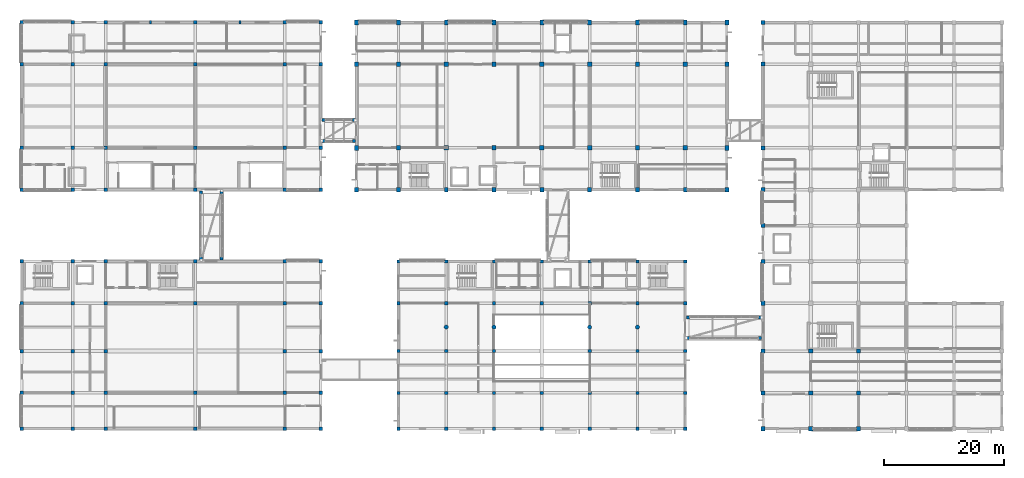
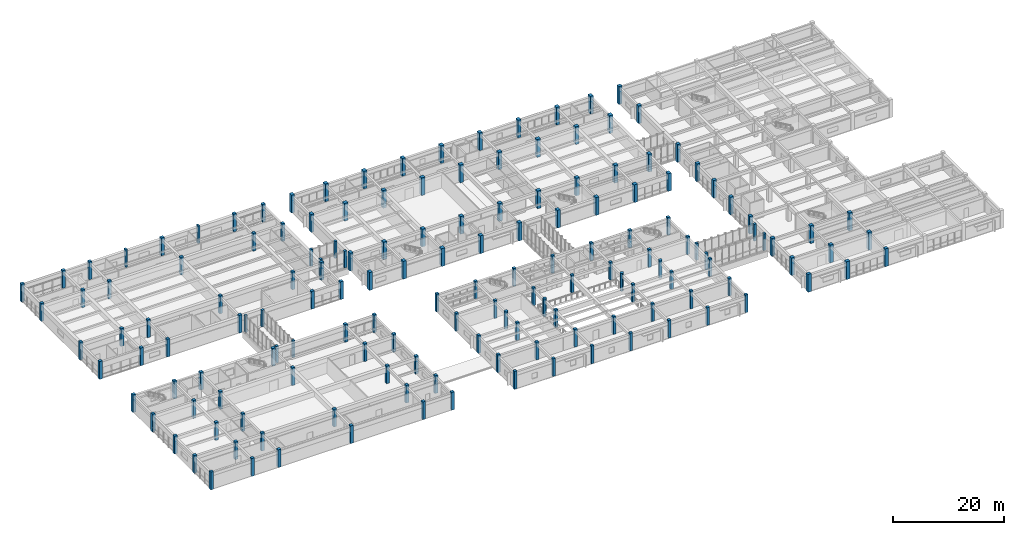
# One storey, part 1 of 66: 157 columns.
"""IFC4 building model written with IfcOpenShell, lengths in metres."""

from ifc_helpers import new_model, si_unit, direction, frame, origin, origin_2d, place, context, subcontext, project, spatial, rectangle, circle, extrude, material, material_profile, profile_set, type_object, element, save


model = new_model("IFC4")

# Units and contexts
model_context = context("Model", 3, precision=1e-05, world=origin(), true_north=direction((0.0, 1.0)))
body_context = subcontext(model_context, "Body", "Model", "MODEL_VIEW")
ifc_project = project(units=[si_unit("LENGTHUNIT", "METRE"), si_unit("AREAUNIT", "SQUARE_METRE"), si_unit("VOLUMEUNIT", "CUBIC_METRE"), si_unit("PLANEANGLEUNIT", "RADIAN"), si_unit("MASSUNIT", "GRAM", prefix="KILO")], contexts=[model_context])

# Site, building, storey
site_placement = place(None, origin())
site = spatial("IfcSite", under=ifc_project, at=site_placement, CompositionType="ELEMENT")
building_placement = place(site_placement, origin())
building = spatial("IfcBuilding", under=site, at=building_placement, Name="Naurynzar Civic Courthouse", CompositionType="ELEMENT")
storey_placement = place(building_placement, frame((0.0, 0.0, 14.39990234375)))
storey = spatial("IfcBuildingStorey", under=building, at=storey_placement, Name="L04", CompositionType="ELEMENT", Elevation=14.39990234375)

# Columns
ifc_material_1 = material(Name="Concrete C40/50", Category="concrete")
ifc_material_profile_1 = material_profile(ifc_material_1, rectangle(XDim=0.5, YDim=0.5, at=origin_2d()), Name="RC 500x500")
ifc_profile_set_1 = profile_set([ifc_material_profile_1], Name="Concrete C40/50")
column_type_1 = type_object("IfcColumnType", Name="COL-RC-500x500", PredefinedType="COLUMN", material=ifc_profile_set_1)
for number, where, z_axis, x_axis, name in (
    (1, (35.969970703125, 32.469970703125, 0.0), (0.0, 0.0, 1.0), (1.0, 0.0, 0.0), "BR-W1 roof portal post 1"),
    (2, (39.429931640625, 32.469970703125, 0.0), (0.0, 0.0, 1.0), (1.0, 0.0, 0.0), "BR-W1 roof portal post 2"),
    (3, (35.969970703125, 43.530029296875, 0.0), (0.0, 0.0, 1.0), (1.0, 0.0, 0.0), "BR-W1 roof portal post 3"),
    (4, (39.429931640625, 43.530029296875, 0.0), (0.0, 0.0, 1.0), (1.0, 0.0, 0.0), "BR-W1 roof portal post 4"),
    (5, (56.469970703125, 52.169921875, 0.0), (0.0, 0.0, 1.0), (1.0, 0.0, 0.0), "BR-N1 roof portal post 1"),
    (6, (61.530029296875, 52.169921875, 0.0), (0.0, 0.0, 1.0), (1.0, 0.0, 0.0), "BR-N1 roof portal post 2"),
    (7, (56.469970703125, 55.6298828125, 0.0), (0.0, 0.0, 1.0), (1.0, 0.0, 0.0), "BR-N1 roof portal post 3"),
    (8, (61.530029296875, 55.6298828125, 0.0), (0.0, 0.0, 1.0), (1.0, 0.0, 0.0), "BR-N1 roof portal post 4"),
    (9, (117.469970703125, 19.169921875, 0.0), (0.0, 0.0, 1.0), (1.0, 0.0, 0.0), "BR-E2 roof portal post 1"),
    (10, (129.530029296875, 19.169921875, 0.0), (0.0, 0.0, 1.0), (1.0, 0.0, 0.0), "BR-E2 roof portal post 2"),
    (11, (117.469970703125, 22.6298828125, 0.0), (0.0, 0.0, 1.0), (1.0, 0.0, 0.0), "BR-E2 roof portal post 3"),
    (12, (129.530029296875, 22.6298828125, 0.0), (0.0, 0.0, 1.0), (1.0, 0.0, 0.0), "BR-E2 roof portal post 4"),
):
    element("IfcColumn", number, at=place(storey_placement, frame(where, z_axis=z_axis, x_axis=x_axis)), inside=storey, type_object=column_type_1, Name=name, PredefinedType="COLUMN", context=body_context, shape_type="SweptSolid", body=[
        extrude(rectangle(XDim=0.5, YDim=0.5, at=origin_2d()), origin(), (0.0, 0.0, 1.0), 3.670166015625),
    ])
ifc_material_2 = material(Name="Concrete C40/50", Category="concrete")
ifc_material_profile_2 = material_profile(ifc_material_2, rectangle(XDim=0.550048828125, YDim=0.550048828125, at=origin_2d()), Name="RC 550x550")
ifc_profile_set_2 = profile_set([ifc_material_profile_2], Name="Concrete C40/50")
column_type_2 = type_object("IfcColumnType", Name="COL-RC-550", PredefinedType="COLUMN", material=ifc_profile_set_2)
for number, where, z_axis, x_axis, name in (
    (13, (69.0, 4.0, 0.0), (0.0, 0.0, 1.0), (1.0, 0.0, 0.0), "V3 column (69.0,4.0) L04"),
    (14, (69.0, 10.0, 0.0), (0.0, 0.0, 1.0), (1.0, 0.0, 0.0), "V3 column (69.0,10.0) L04"),
    (15, (69.0, 17.0, 0.0), (0.0, 0.0, 1.0), (1.0, 0.0, 0.0), "V3 column (69.0,17.0) L04"),
    (16, (69.0, 25.0, 0.0), (0.0, 0.0, 1.0), (1.0, 0.0, 0.0), "V3 column (69.0,25.0) L04"),
    (17, (69.0, 32.0, 0.0), (0.0, 0.0, 1.0), (1.0, 0.0, 0.0), "V3 column (69.0,32.0) L04"),
    (18, (77.0, 4.0, 0.0), (0.0, 0.0, 1.0), (1.0, 0.0, 0.0), "V3 column (77.0,4.0) L04"),
    (19, (77.0, 10.0, 0.0), (0.0, 0.0, 1.0), (1.0, 0.0, 0.0), "V3 column (77.0,10.0) L04"),
    (20, (77.0, 17.0, 0.0), (0.0, 0.0, 1.0), (1.0, 0.0, 0.0), "V3 column (77.0,17.0) L04"),
    (21, (77.0, 25.0, 0.0), (0.0, 0.0, 1.0), (1.0, 0.0, 0.0), "V3 column (77.0,25.0) L04"),
    (22, (77.0, 32.0, 0.0), (0.0, 0.0, 1.0), (1.0, 0.0, 0.0), "V3 column (77.0,32.0) L04"),
    (23, (85.0, 4.0, 0.0), (0.0, 0.0, 1.0), (1.0, 0.0, 0.0), "V3 column (85.0,4.0) L04"),
    (24, (85.0, 10.0, 0.0), (0.0, 0.0, 1.0), (1.0, 0.0, 0.0), "V3 column (85.0,10.0) L04"),
    (25, (85.0, 17.0, 0.0), (0.0, 0.0, 1.0), (1.0, 0.0, 0.0), "V3 column (85.0,17.0) L04"),
    (26, (85.0, 25.0, 0.0), (0.0, 0.0, 1.0), (1.0, 0.0, 0.0), "V3 column (85.0,25.0) L04"),
    (27, (85.0, 32.0, 0.0), (0.0, 0.0, 1.0), (1.0, 0.0, 0.0), "V3 column (85.0,32.0) L04"),
    (28, (93.0, 4.0, 0.0), (0.0, 0.0, 1.0), (1.0, 0.0, 0.0), "V3 column (93.0,4.0) L04"),
    (29, (93.0, 10.0, 0.0), (0.0, 0.0, 1.0), (1.0, 0.0, 0.0), "V3 column (93.0,10.0) L04"),
    (30, (93.0, 25.0, 0.0), (0.0, 0.0, 1.0), (1.0, 0.0, 0.0), "V3 column (93.0,25.0) L04"),
    (31, (93.0, 32.0, 0.0), (0.0, 0.0, 1.0), (1.0, 0.0, 0.0), "V3 column (93.0,32.0) L04"),
    (32, (101.0, 4.0, 0.0), (0.0, 0.0, 1.0), (1.0, 0.0, 0.0), "V3 column (101.0,4.0) L04"),
    (33, (101.0, 10.0, 0.0), (0.0, 0.0, 1.0), (1.0, 0.0, 0.0), "V3 column (101.0,10.0) L04"),
    (34, (101.0, 17.0, 0.0), (0.0, 0.0, 1.0), (1.0, 0.0, 0.0), "V3 column (101.0,17.0) L04"),
    (35, (101.0, 25.0, 0.0), (0.0, 0.0, 1.0), (1.0, 0.0, 0.0), "V3 column (101.0,25.0) L04"),
    (36, (101.0, 32.0, 0.0), (0.0, 0.0, 1.0), (1.0, 0.0, 0.0), "V3 column (101.0,32.0) L04"),
    (37, (109.0, 4.0, 0.0), (0.0, 0.0, 1.0), (1.0, 0.0, 0.0), "V3 column (109.0,4.0) L04"),
    (38, (109.0, 10.0, 0.0), (0.0, 0.0, 1.0), (1.0, 0.0, 0.0), "V3 column (109.0,10.0) L04"),
    (39, (109.0, 17.0, 0.0), (0.0, 0.0, 1.0), (1.0, 0.0, 0.0), "V3 column (109.0,17.0) L04"),
    (40, (109.0, 25.0, 0.0), (0.0, 0.0, 1.0), (1.0, 0.0, 0.0), "V3 column (109.0,25.0) L04"),
    (41, (109.0, 32.0, 0.0), (0.0, 0.0, 1.0), (1.0, 0.0, 0.0), "V3 column (109.0,32.0) L04"),
    (42, (117.0, 4.0, 0.0), (0.0, 0.0, 1.0), (1.0, 0.0, 0.0), "V3 column (117.0,4.0) L04"),
    (43, (117.0, 10.0, 0.0), (0.0, 0.0, 1.0), (1.0, 0.0, 0.0), "V3 column (117.0,10.0) L04"),
    (44, (117.0, 17.0, 0.0), (0.0, 0.0, 1.0), (1.0, 0.0, 0.0), "V3 column (117.0,17.0) L04"),
    (45, (117.0, 25.0, 0.0), (0.0, 0.0, 1.0), (1.0, 0.0, 0.0), "V3 column (117.0,25.0) L04"),
    (46, (117.0, 32.0, 0.0), (0.0, 0.0, 1.0), (1.0, 0.0, 0.0), "V3 column (117.0,32.0) L04"),
):
    element("IfcColumn", number, at=place(storey_placement, frame(where, z_axis=z_axis, x_axis=x_axis)), inside=storey, type_object=column_type_2, Name=name, PredefinedType="COLUMN", context=body_context, shape_type="SweptSolid", body=[
        extrude(rectangle(XDim=0.550048828125, YDim=0.550048828125, at=origin_2d()), origin(), (0.0, 0.0, 1.0), 3.900146484375),
    ])
ifc_material_3 = material(Name="Concrete C40/50", Category="concrete")
ifc_material_profile_3 = material_profile(ifc_material_3, rectangle(XDim=0.60009765625, YDim=0.60009765625, at=origin_2d()), Name="RC 600x600")
ifc_profile_set_3 = profile_set([ifc_material_profile_3], Name="Concrete C40/50")
column_type_3 = type_object("IfcColumnType", Name="COL-RC-600", PredefinedType="COLUMN", material=ifc_profile_set_3)
for number, where, z_axis, x_axis, name in (
    (47, (6.0, 44.0, 0.0), (0.0, 0.0, 1.0), (1.0, 0.0, 0.0), "V1 column (6.0,44.0) L04"),
    (48, (6.0, 51.0, 0.0), (0.0, 0.0, 1.0), (1.0, 0.0, 0.0), "V1 column (6.0,51.0) L04"),
    (49, (6.0, 65.0, 0.0), (0.0, 0.0, 1.0), (1.0, 0.0, 0.0), "V1 column (6.0,65.0) L04"),
    (50, (6.0, 72.0, 0.0), (0.0, 0.0, 1.0), (1.0, 0.0, 0.0), "V1 column (6.0,72.0) L04"),
    (51, (14.5, 44.0, 0.0), (0.0, 0.0, 1.0), (1.0, 0.0, 0.0), "V1 column (14.5,44.0) L04"),
    (52, (14.5, 51.0, 0.0), (0.0, 0.0, 1.0), (1.0, 0.0, 0.0), "V1 column (14.5,51.0) L04"),
    (53, (14.5, 65.0, 0.0), (0.0, 0.0, 1.0), (1.0, 0.0, 0.0), "V1 column (14.5,65.0) L04"),
    (54, (14.5, 72.0, 0.0), (0.0, 0.0, 1.0), (1.0, 0.0, 0.0), "V1 column (14.5,72.0) L04"),
    (55, (20.0, 44.0, 0.0), (0.0, 0.0, 1.0), (1.0, 0.0, 0.0), "V1 column (20.0,44.0) L04"),
    (56, (20.0, 51.0, 0.0), (0.0, 0.0, 1.0), (1.0, 0.0, 0.0), "V1 column (20.0,51.0) L04"),
    (57, (20.0, 65.0, 0.0), (0.0, 0.0, 1.0), (1.0, 0.0, 0.0), "V1 column (20.0,65.0) L04"),
    (58, (20.0, 72.0, 0.0), (0.0, 0.0, 1.0), (1.0, 0.0, 0.0), "V1 column (20.0,72.0) L04"),
    (59, (35.0, 44.0, 0.0), (0.0, 0.0, 1.0), (1.0, 0.0, 0.0), "V1 column (35.0,44.0) L04"),
    (60, (35.0, 51.0, 0.0), (0.0, 0.0, 1.0), (1.0, 0.0, 0.0), "V1 column (35.0,51.0) L04"),
    (61, (35.0, 65.0, 0.0), (0.0, 0.0, 1.0), (1.0, 0.0, 0.0), "V1 column (35.0,65.0) L04"),
    (62, (35.0, 72.0, 0.0), (0.0, 0.0, 1.0), (1.0, 0.0, 0.0), "V1 column (35.0,72.0) L04"),
    (63, (50.0, 44.0, 0.0), (0.0, 0.0, 1.0), (1.0, 0.0, 0.0), "V1 column (50.0,44.0) L04"),
    (64, (50.0, 51.0, 0.0), (0.0, 0.0, 1.0), (1.0, 0.0, 0.0), "V1 column (50.0,51.0) L04"),
    (65, (50.0, 65.0, 0.0), (0.0, 0.0, 1.0), (1.0, 0.0, 0.0), "V1 column (50.0,65.0) L04"),
    (66, (50.0, 72.0, 0.0), (0.0, 0.0, 1.0), (1.0, 0.0, 0.0), "V1 column (50.0,72.0) L04"),
    (67, (56.0, 44.0, 0.0), (0.0, 0.0, 1.0), (1.0, 0.0, 0.0), "V1 column (56.0,44.0) L04"),
    (68, (56.0, 51.0, 0.0), (0.0, 0.0, 1.0), (1.0, 0.0, 0.0), "V1 column (56.0,51.0) L04"),
    (69, (56.0, 65.0, 0.0), (0.0, 0.0, 1.0), (1.0, 0.0, 0.0), "V1 column (56.0,65.0) L04"),
    (70, (56.0, 72.0, 0.0), (0.0, 0.0, 1.0), (1.0, 0.0, 0.0), "V1 column (56.0,72.0) L04"),
    (71, (6.0, 4.0, 0.0), (0.0, 0.0, 1.0), (1.0, 0.0, 0.0), "V4 column (6.0,4.0) L04"),
    (72, (6.0, 10.0, 0.0), (0.0, 0.0, 1.0), (1.0, 0.0, 0.0), "V4 column (6.0,10.0) L04"),
    (73, (6.0, 17.0, 0.0), (0.0, 0.0, 1.0), (1.0, 0.0, 0.0), "V4 column (6.0,17.0) L04"),
    (74, (6.0, 25.0, 0.0), (0.0, 0.0, 1.0), (1.0, 0.0, 0.0), "V4 column (6.0,25.0) L04"),
    (75, (6.0, 32.0, 0.0), (0.0, 0.0, 1.0), (1.0, 0.0, 0.0), "V4 column (6.0,32.0) L04"),
    (76, (14.5, 4.0, 0.0), (0.0, 0.0, 1.0), (1.0, 0.0, 0.0), "V4 column (14.5,4.0) L04"),
    (77, (14.5, 10.0, 0.0), (0.0, 0.0, 1.0), (1.0, 0.0, 0.0), "V4 column (14.5,10.0) L04"),
    (78, (14.5, 17.0, 0.0), (0.0, 0.0, 1.0), (1.0, 0.0, 0.0), "V4 column (14.5,17.0) L04"),
    (79, (14.5, 25.0, 0.0), (0.0, 0.0, 1.0), (1.0, 0.0, 0.0), "V4 column (14.5,25.0) L04"),
    (80, (14.5, 32.0, 0.0), (0.0, 0.0, 1.0), (1.0, 0.0, 0.0), "V4 column (14.5,32.0) L04"),
    (81, (20.0, 4.0, 0.0), (0.0, 0.0, 1.0), (1.0, 0.0, 0.0), "V4 column (20.0,4.0) L04"),
    (82, (20.0, 10.0, 0.0), (0.0, 0.0, 1.0), (1.0, 0.0, 0.0), "V4 column (20.0,10.0) L04"),
    (83, (20.0, 17.0, 0.0), (0.0, 0.0, 1.0), (1.0, 0.0, 0.0), "V4 column (20.0,17.0) L04"),
    (84, (20.0, 25.0, 0.0), (0.0, 0.0, 1.0), (1.0, 0.0, 0.0), "V4 column (20.0,25.0) L04"),
    (85, (20.0, 32.0, 0.0), (0.0, 0.0, 1.0), (1.0, 0.0, 0.0), "V4 column (20.0,32.0) L04"),
    (86, (35.0, 4.0, 0.0), (0.0, 0.0, 1.0), (1.0, 0.0, 0.0), "V4 column (35.0,4.0) L04"),
    (87, (35.0, 10.0, 0.0), (0.0, 0.0, 1.0), (1.0, 0.0, 0.0), "V4 column (35.0,10.0) L04"),
    (88, (35.0, 25.0, 0.0), (0.0, 0.0, 1.0), (1.0, 0.0, 0.0), "V4 column (35.0,25.0) L04"),
    (89, (35.0, 32.0, 0.0), (0.0, 0.0, 1.0), (1.0, 0.0, 0.0), "V4 column (35.0,32.0) L04"),
    (90, (50.0, 4.0, 0.0), (0.0, 0.0, 1.0), (1.0, 0.0, 0.0), "V4 column (50.0,4.0) L04"),
    (91, (50.0, 10.0, 0.0), (0.0, 0.0, 1.0), (1.0, 0.0, 0.0), "V4 column (50.0,10.0) L04"),
    (92, (50.0, 17.0, 0.0), (0.0, 0.0, 1.0), (1.0, 0.0, 0.0), "V4 column (50.0,17.0) L04"),
    (93, (50.0, 25.0, 0.0), (0.0, 0.0, 1.0), (1.0, 0.0, 0.0), "V4 column (50.0,25.0) L04"),
    (94, (50.0, 32.0, 0.0), (0.0, 0.0, 1.0), (1.0, 0.0, 0.0), "V4 column (50.0,32.0) L04"),
    (95, (56.0, 4.0, 0.0), (0.0, 0.0, 1.0), (1.0, 0.0, 0.0), "V4 column (56.0,4.0) L04"),
    (96, (56.0, 10.0, 0.0), (0.0, 0.0, 1.0), (1.0, 0.0, 0.0), "V4 column (56.0,10.0) L04"),
    (97, (56.0, 17.0, 0.0), (0.0, 0.0, 1.0), (1.0, 0.0, 0.0), "V4 column (56.0,17.0) L04"),
    (98, (56.0, 25.0, 0.0), (0.0, 0.0, 1.0), (1.0, 0.0, 0.0), "V4 column (56.0,25.0) L04"),
    (99, (56.0, 32.0, 0.0), (0.0, 0.0, 1.0), (1.0, 0.0, 0.0), "V4 column (56.0,32.0) L04"),
):
    element("IfcColumn", number, at=place(storey_placement, frame(where, z_axis=z_axis, x_axis=x_axis)), inside=storey, type_object=column_type_3, Name=name, PredefinedType="COLUMN", context=body_context, shape_type="SweptSolid", body=[
        extrude(rectangle(XDim=0.60009765625, YDim=0.60009765625, at=origin_2d()), origin(), (0.0, 0.0, 1.0), 3.900146484375),
    ])
ifc_material_4 = material(Name="Concrete C40/50", Category="concrete")
ifc_material_profile_4 = material_profile(ifc_material_4, rectangle(XDim=0.64990234375, YDim=0.800048828125, at=origin_2d()), Name="RC 650x800")
ifc_profile_set_4 = profile_set([ifc_material_profile_4], Name="Concrete C40/50")
column_type_4 = type_object("IfcColumnType", Name="COL-RC-650x800", PredefinedType="COLUMN", material=ifc_profile_set_4)
for number, where, z_axis, x_axis, name in (
    (100, (62.0, 44.0, 0.0), (0.0, 0.0, 1.0), (1.0, 0.0, 0.0), "V2 column (62.0,44.0) L04"),
    (101, (62.0, 51.0, 0.0), (0.0, 0.0, 1.0), (1.0, 0.0, 0.0), "V2 column (62.0,51.0) L04"),
    (102, (62.0, 65.0, 0.0), (0.0, 0.0, 1.0), (1.0, 0.0, 0.0), "V2 column (62.0,65.0) L04"),
    (103, (62.0, 72.0, 0.0), (0.0, 0.0, 1.0), (1.0, 0.0, 0.0), "V2 column (62.0,72.0) L04"),
    (104, (69.0, 44.0, 0.0), (0.0, 0.0, 1.0), (1.0, 0.0, 0.0), "V2 column (69.0,44.0) L04"),
    (105, (69.0, 72.0, 0.0), (0.0, 0.0, 1.0), (1.0, 0.0, 0.0), "V2 column (69.0,72.0) L04"),
    (106, (77.0, 44.0, 0.0), (0.0, 0.0, 1.0), (1.0, 0.0, 0.0), "V2 column (77.0,44.0) L04"),
    (107, (77.0, 72.0, 0.0), (0.0, 0.0, 1.0), (1.0, 0.0, 0.0), "V2 column (77.0,72.0) L04"),
    (108, (85.0, 44.0, 0.0), (0.0, 0.0, 1.0), (1.0, 0.0, 0.0), "V2 column (85.0,44.0) L04"),
    (109, (85.0, 72.0, 0.0), (0.0, 0.0, 1.0), (1.0, 0.0, 0.0), "V2 column (85.0,72.0) L04"),
    (110, (93.0, 44.0, 0.0), (0.0, 0.0, 1.0), (1.0, 0.0, 0.0), "V2 column (93.0,44.0) L04"),
    (111, (93.0, 72.0, 0.0), (0.0, 0.0, 1.0), (1.0, 0.0, 0.0), "V2 column (93.0,72.0) L04"),
    (112, (101.0, 44.0, 0.0), (0.0, 0.0, 1.0), (1.0, 0.0, 0.0), "V2 column (101.0,44.0) L04"),
    (113, (101.0, 72.0, 0.0), (0.0, 0.0, 1.0), (1.0, 0.0, 0.0), "V2 column (101.0,72.0) L04"),
    (114, (109.0, 44.0, 0.0), (0.0, 0.0, 1.0), (1.0, 0.0, 0.0), "V2 column (109.0,44.0) L04"),
    (115, (109.0, 72.0, 0.0), (0.0, 0.0, 1.0), (1.0, 0.0, 0.0), "V2 column (109.0,72.0) L04"),
    (116, (117.0, 44.0, 0.0), (0.0, 0.0, 1.0), (1.0, 0.0, 0.0), "V2 column (117.0,44.0) L04"),
    (117, (117.0, 72.0, 0.0), (0.0, 0.0, 1.0), (1.0, 0.0, 0.0), "V2 column (117.0,72.0) L04"),
    (118, (124.0, 44.0, 0.0), (0.0, 0.0, 1.0), (1.0, 0.0, 0.0), "V2 column (124.0,44.0) L04"),
    (119, (124.0, 51.0, 0.0), (0.0, 0.0, 1.0), (1.0, 0.0, 0.0), "V2 column (124.0,51.0) L04"),
    (120, (124.0, 65.0, 0.0), (0.0, 0.0, 1.0), (1.0, 0.0, 0.0), "V2 column (124.0,65.0) L04"),
    (121, (124.0, 72.0, 0.0), (0.0, 0.0, 1.0), (1.0, 0.0, 0.0), "V2 column (124.0,72.0) L04"),
):
    element("IfcColumn", number, at=place(storey_placement, frame(where, z_axis=z_axis, x_axis=x_axis)), inside=storey, type_object=column_type_4, Name=name, PredefinedType="COLUMN", context=body_context, shape_type="SweptSolid", body=[
        extrude(rectangle(XDim=0.64990234375, YDim=0.800048828125, at=origin_2d()), origin(), (0.0, 0.0, 1.0), 3.900146484375),
    ])
ifc_material_5 = material(Name="Concrete C40/50", Category="concrete")
ifc_material_profile_5 = material_profile(ifc_material_5, rectangle(XDim=0.675048828125, YDim=0.675048828125, at=origin_2d()), Name="RC 675x675")
ifc_profile_set_5 = profile_set([ifc_material_profile_5], Name="Concrete C40/50")
column_type_5 = type_object("IfcColumnType", Name="COL-RC-675x675", PredefinedType="COLUMN", material=ifc_profile_set_5)
for number, where, z_axis, x_axis, name in (
    (122, (130.0, 4.0, 0.0), (0.0, 0.0, 1.0), (1.0, 0.0, 0.0), "V5 column (130.0,4.0) L04"),
    (123, (130.0, 10.0, 0.0), (0.0, 0.0, 1.0), (1.0, 0.0, 0.0), "V5 column (130.0,10.0) L04"),
    (124, (130.0, 17.0, 0.0), (0.0, 0.0, 1.0), (1.0, 0.0, 0.0), "V5 column (130.0,17.0) L04"),
    (125, (130.0, 25.0, 0.0), (0.0, 0.0, 1.0), (1.0, 0.0, 0.0), "V5 column (130.0,25.0) L04"),
    (126, (130.0, 32.0, 0.0), (0.0, 0.0, 1.0), (1.0, 0.0, 0.0), "V5 column (130.0,32.0) L04"),
    (127, (130.0, 38.0, 0.0), (0.0, 0.0, 1.0), (1.0, 0.0, 0.0), "V5 column (130.0,38.0) L04"),
    (128, (130.0, 44.0, 0.0), (0.0, 0.0, 1.0), (1.0, 0.0, 0.0), "V5 column (130.0,44.0) L04"),
    (129, (130.0, 51.0, 0.0), (0.0, 0.0, 1.0), (1.0, 0.0, 0.0), "V5 column (130.0,51.0) L04"),
    (130, (130.0, 65.0, 0.0), (0.0, 0.0, 1.0), (1.0, 0.0, 0.0), "V5 column (130.0,65.0) L04"),
    (131, (130.0, 72.0, 0.0), (0.0, 0.0, 1.0), (1.0, 0.0, 0.0), "V5 column (130.0,72.0) L04"),
    (132, (138.0, 4.0, 0.0), (0.0, 0.0, 1.0), (1.0, 0.0, 0.0), "V5 column (138.0,4.0) L04"),
    (133, (146.0, 4.0, 0.0), (0.0, 0.0, 1.0), (1.0, 0.0, 0.0), "V5 column (146.0,4.0) L04"),
):
    element("IfcColumn", number, at=place(storey_placement, frame(where, z_axis=z_axis, x_axis=x_axis)), inside=storey, type_object=column_type_5, Name=name, PredefinedType="COLUMN", context=body_context, shape_type="SweptSolid", body=[
        extrude(rectangle(XDim=0.675048828125, YDim=0.675048828125, at=origin_2d()), origin(), (0.0, 0.0, 1.0), 3.900146484375),
    ])
ifc_material_6 = material(Name="Concrete C40/50", Category="concrete")
ifc_material_profile_6 = material_profile(ifc_material_6, rectangle(XDim=0.699951171875, YDim=0.699951171875, at=origin_2d()), Name="RC 700x700")
ifc_profile_set_6 = profile_set([ifc_material_profile_6], Name="Concrete C40/50")
column_type_6 = type_object("IfcColumnType", Name="COL-RC-700", PredefinedType="COLUMN", material=ifc_profile_set_6)
for number, where, z_axis, x_axis, name in (
    (134, (138.0, 10.0, 0.0), (0.0, 0.0, 1.0), (1.0, 0.0, 0.0), "V5 column (138.0,10.0) L04"),
    (135, (138.0, 17.0, 0.0), (0.0, 0.0, 1.0), (1.0, 0.0, 0.0), "V5 column (138.0,17.0) L04"),
    (136, (146.0, 10.0, 0.0), (0.0, 0.0, 1.0), (1.0, 0.0, 0.0), "V5 column (146.0,10.0) L04"),
    (137, (146.0, 17.0, 0.0), (0.0, 0.0, 1.0), (1.0, 0.0, 0.0), "V5 column (146.0,17.0) L04"),
):
    element("IfcColumn", number, at=place(storey_placement, frame(where, z_axis=z_axis, x_axis=x_axis)), inside=storey, type_object=column_type_6, Name=name, PredefinedType="COLUMN", context=body_context, shape_type="SweptSolid", body=[
        extrude(rectangle(XDim=0.699951171875, YDim=0.699951171875, at=origin_2d()), origin(), (0.0, 0.0, 1.0), 3.900146484375),
    ])
ifc_material_7 = material(Name="Concrete C40/50", Category="concrete")
ifc_material_profile_7 = material_profile(ifc_material_7, rectangle(XDim=0.72509765625, YDim=0.72509765625, at=origin_2d()), Name="RC 725x725")
ifc_profile_set_7 = profile_set([ifc_material_profile_7], Name="Concrete C40/50")
column_type_7 = type_object("IfcColumnType", Name="COL-RC-725x725", PredefinedType="COLUMN", material=ifc_profile_set_7)
for number, where, z_axis, x_axis, name in (
    (138, (69.0, 51.0, 0.0), (0.0, 0.0, 1.0), (1.0, 0.0, 0.0), "V2 column (69.0,51.0) L04"),
    (139, (69.0, 65.0, 0.0), (0.0, 0.0, 1.0), (1.0, 0.0, 0.0), "V2 column (69.0,65.0) L04"),
    (140, (77.0, 51.0, 0.0), (0.0, 0.0, 1.0), (1.0, 0.0, 0.0), "V2 column (77.0,51.0) L04"),
    (141, (77.0, 65.0, 0.0), (0.0, 0.0, 1.0), (1.0, 0.0, 0.0), "V2 column (77.0,65.0) L04"),
    (142, (85.0, 51.0, 0.0), (0.0, 0.0, 1.0), (1.0, 0.0, 0.0), "V2 column (85.0,51.0) L04"),
    (143, (85.0, 65.0, 0.0), (0.0, 0.0, 1.0), (1.0, 0.0, 0.0), "V2 column (85.0,65.0) L04"),
    (144, (93.0, 51.0, 0.0), (0.0, 0.0, 1.0), (1.0, 0.0, 0.0), "V2 column (93.0,51.0) L04"),
    (145, (93.0, 65.0, 0.0), (0.0, 0.0, 1.0), (1.0, 0.0, 0.0), "V2 column (93.0,65.0) L04"),
    (146, (101.0, 51.0, 0.0), (0.0, 0.0, 1.0), (1.0, 0.0, 0.0), "V2 column (101.0,51.0) L04"),
    (147, (101.0, 65.0, 0.0), (0.0, 0.0, 1.0), (1.0, 0.0, 0.0), "V2 column (101.0,65.0) L04"),
    (148, (109.0, 51.0, 0.0), (0.0, 0.0, 1.0), (1.0, 0.0, 0.0), "V2 column (109.0,51.0) L04"),
    (149, (109.0, 65.0, 0.0), (0.0, 0.0, 1.0), (1.0, 0.0, 0.0), "V2 column (109.0,65.0) L04"),
    (150, (117.0, 51.0, 0.0), (0.0, 0.0, 1.0), (1.0, 0.0, 0.0), "V2 column (117.0,51.0) L04"),
    (151, (117.0, 65.0, 0.0), (0.0, 0.0, 1.0), (1.0, 0.0, 0.0), "V2 column (117.0,65.0) L04"),
):
    element("IfcColumn", number, at=place(storey_placement, frame(where, z_axis=z_axis, x_axis=x_axis)), inside=storey, type_object=column_type_7, Name=name, PredefinedType="COLUMN", context=body_context, shape_type="SweptSolid", body=[
        extrude(rectangle(XDim=0.72509765625, YDim=0.72509765625, at=origin_2d()), origin(), (0.0, 0.0, 1.0), 3.900146484375),
    ])
ifc_material_8 = material(Name="Concrete C40/50", Category="concrete")
ifc_material_profile_8 = material_profile(ifc_material_8, circle(Radius=0.35009765625, at=origin_2d()), Name="RC D700")
ifc_profile_set_8 = profile_set([ifc_material_profile_8], Name="Concrete C40/50")
column_type_8 = type_object("IfcColumnType", Name="COL-RC-D700", PredefinedType="COLUMN", material=ifc_profile_set_8)
for number, where, z_axis, x_axis, name in (
    (152, (77.0, 21.0, 0.0), (0.0, 0.0, 1.0), (1.0, 0.0, 0.0), "Law Library central spine column 77 L04"),
    (153, (85.0, 21.0, 0.0), (0.0, 0.0, 1.0), (1.0, 0.0, 0.0), "Law Library central spine column 85 L04"),
    (154, (101.0, 21.0, 0.0), (0.0, 0.0, 1.0), (1.0, 0.0, 0.0), "Law Library central spine column 101 L04"),
    (155, (109.0, 21.0, 0.0), (0.0, 0.0, 1.0), (1.0, 0.0, 0.0), "Law Library central spine column 109 L04"),
):
    element("IfcColumn", number, at=place(storey_placement, frame(where, z_axis=z_axis, x_axis=x_axis)), inside=storey, type_object=column_type_8, Name=name, PredefinedType="COLUMN", context=body_context, shape_type="SweptSolid", body=[
        extrude(circle(Radius=0.35009765625, at=origin_2d()), origin(), (0.0, 0.0, 1.0), 3.900146484375),
    ])
ifc_material_9 = material(Name="Concrete C40/50", Category="concrete")
ifc_material_profile_9 = material_profile(ifc_material_9, rectangle(XDim=0.35009765625, YDim=0.60009765625, at=origin_2d()), Name="RC 350x600")
ifc_profile_set_9 = profile_set([ifc_material_profile_9], Name="Concrete C40/50")
column_type_9 = type_object("IfcColumnType", Name="PIL-RC-350x600", PredefinedType="PILASTER", material=ifc_profile_set_9)
for number, where, z_axis, x_axis, name in (
    (156, (27.5, 72.0, 0.0), (0.0, 0.0, 1.0), (1.0, 0.0, 0.0), "V1 north street pilaster 27.5 L04"),
    (157, (42.5, 72.0, 0.0), (0.0, 0.0, 1.0), (1.0, 0.0, 0.0), "V1 north street pilaster 42.5 L04"),
):
    element("IfcColumn", number, at=place(storey_placement, frame(where, z_axis=z_axis, x_axis=x_axis)), inside=storey, type_object=column_type_9, Name=name, PredefinedType="PILASTER", context=body_context, shape_type="SweptSolid", body=[
        extrude(rectangle(XDim=0.35009765625, YDim=0.60009765625, at=origin_2d()), origin(), (0.0, 0.0, 1.0), 3.900146484375),
    ])

save(model, "model.ifc")
